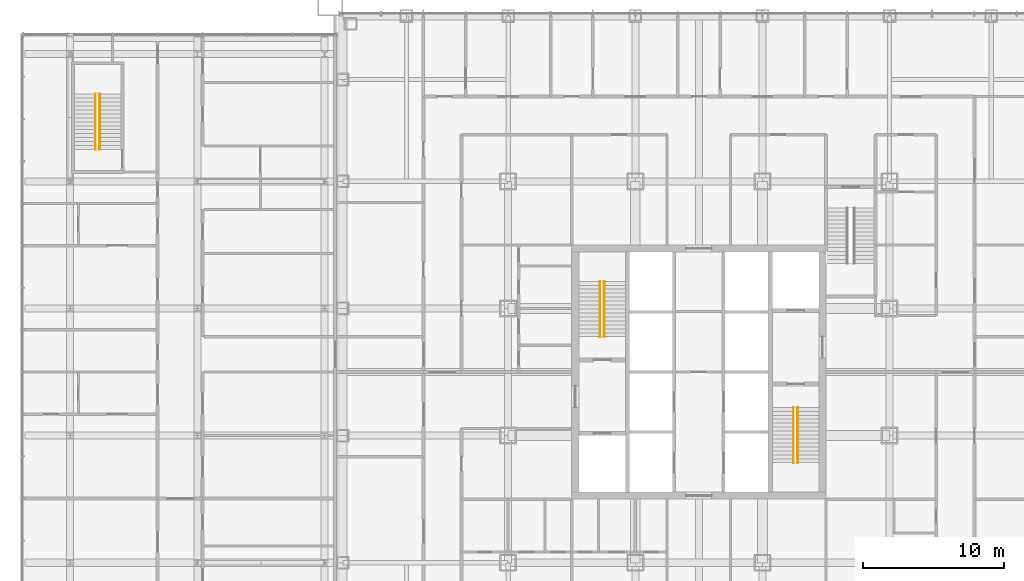
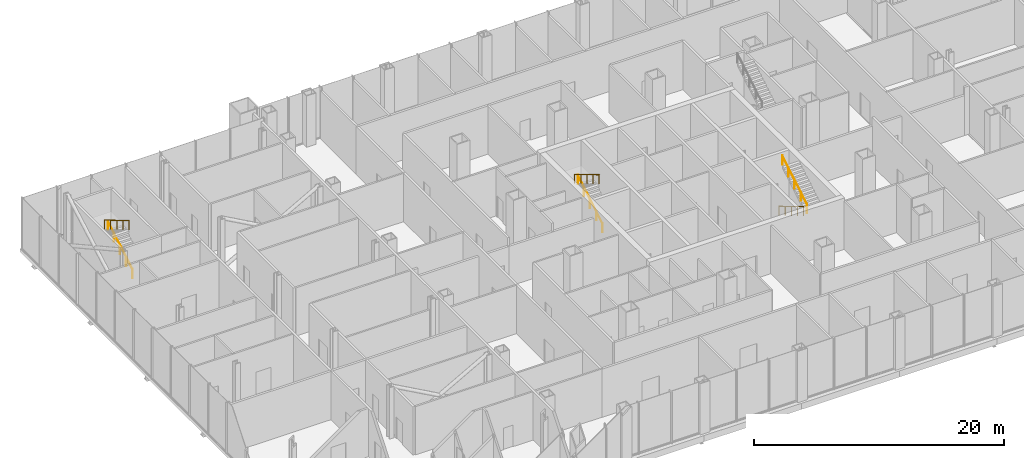
# One storey, part 21 of 25: 6 railings.
"""IFC4 building model written with IfcOpenShell, lengths in metres."""

from ifc_helpers import new_model, si_unit, direction, frame, origin, origin_2d, place, context, subcontext, project, spatial, circle, extrude, material, type_object, element, save


model = new_model("IFC4")

# Units and contexts
model_context = context("Model", 3, precision=1e-05, world=origin(), true_north=direction((0.0, 1.0)))
body_context = subcontext(model_context, "Body", "Model", "MODEL_VIEW")
ifc_project = project(units=[si_unit("LENGTHUNIT", "METRE"), si_unit("AREAUNIT", "SQUARE_METRE"), si_unit("VOLUMEUNIT", "CUBIC_METRE"), si_unit("PLANEANGLEUNIT", "RADIAN"), si_unit("MASSUNIT", "GRAM", prefix="KILO")], contexts=[model_context])

# Site, building, storey
site_placement = place(None, origin())
site = spatial("IfcSite", under=ifc_project, at=site_placement, CompositionType="ELEMENT")
building_placement = place(site_placement, origin())
building = spatial("IfcBuilding", under=site, at=building_placement, Name="Malebo Sky Hospital", CompositionType="ELEMENT")
storey_placement = place(building_placement, frame((0.0, 0.0, 6.0)))
storey = spatial("IfcBuildingStorey", under=building, at=storey_placement, Name="L01", CompositionType="ELEMENT", Elevation=6.0)

# Railings
ifc_material = material(Name="Stainless steel tube", Category="steel")
railing_type = type_object("IfcRailingType", Name="STAIR HANDRAIL 900", PredefinedType="HANDRAIL", material=ifc_material)
railing_1_placement = place(storey_placement, frame((53.300048828125, 64.5, 0.166748046875)))
element("IfcRailing", 1, at=railing_1_placement, inside=storey, type_object=railing_type, Name="Stair handrail S1 flight 1", PredefinedType="HANDRAIL", context=body_context, shape_type="SweptSolid", body=[
    extrude(circle(Radius=0.02392578125, at=origin_2d()), frame((0.0, 0.0, 0.8759765625), z_axis=(0.0, 0.859296244711, 0.511478214419), x_axis=(-1.0, 0.0, 0.0)), (0.0, 0.0, 1.0), 4.561767578125),
    extrude(circle(Radius=0.02099609375, at=origin_2d()), origin(), (0.0, 0.0, 1.0), 0.851806640625),
    extrude(circle(Radius=0.02099609375, at=origin_2d()), frame((0.0, 0.97998046875, 0.583251953125)), (0.0, 0.0, 1.0), 0.851806640625),
    extrude(circle(Radius=0.02099609375, at=origin_2d()), frame((0.0, 1.9599609375, 1.16650390625)), (0.0, 0.0, 1.0), 0.851806640625),
    extrude(circle(Radius=0.02099609375, at=origin_2d()), frame((0.0, 2.93994140625, 1.75)), (0.0, 0.0, 1.0), 0.851806640625),
    extrude(circle(Radius=0.02099609375, at=origin_2d()), frame((0.0, 3.919921875, 2.333251953125)), (0.0, 0.0, 1.0), 0.851806640625),
])
for number, where, name in (
    (2, (53.0, 68.419921875, 2.666748046875), "Stair handrail S1 flight 2"),
    (3, (66.699951171875, 59.5, 0.166748046875), "Stair handrail S2 flight 1"),
):
    element("IfcRailing", number, at=place(storey_placement, frame(where)), inside=storey, type_object=railing_type, Name=name, PredefinedType="HANDRAIL", context=body_context, shape_type="SweptSolid", body=[
        extrude(circle(Radius=0.02392578125, at=origin_2d()), frame((0.0, 0.0, 0.8759765625), z_axis=(0.0, -0.859296244711, 0.511478214419), x_axis=(1.0, 0.0, 0.0)), (0.0, 0.0, 1.0), 4.561767578125),
        extrude(circle(Radius=0.02099609375, at=origin_2d()), origin(), (0.0, 0.0, 1.0), 0.851806640625),
        extrude(circle(Radius=0.02099609375, at=origin_2d()), frame((0.0, -0.97998046875, 0.583251953125)), (0.0, 0.0, 1.0), 0.851806640625),
        extrude(circle(Radius=0.02099609375, at=origin_2d()), frame((0.0, -1.9599609375, 1.16650390625)), (0.0, 0.0, 1.0), 0.851806640625),
        extrude(circle(Radius=0.02099609375, at=origin_2d()), frame((0.0, -2.93994140625, 1.75)), (0.0, 0.0, 1.0), 0.851806640625),
        extrude(circle(Radius=0.02099609375, at=origin_2d()), frame((0.0, -3.919921875, 2.333251953125)), (0.0, 0.0, 1.0), 0.851806640625),
    ])
for number, where, name in (
    (4, (67.0, 55.580078125, 2.666748046875), "Stair handrail S2 flight 2"),
    (5, (17.60009765625, 77.75, 0.166748046875), "Stair handrail WS flight 1"),
):
    element("IfcRailing", number, at=place(storey_placement, frame(where)), inside=storey, type_object=railing_type, Name=name, PredefinedType="HANDRAIL", context=body_context, shape_type="SweptSolid", body=[
        extrude(circle(Radius=0.02392578125, at=origin_2d()), frame((0.0, 0.0, 0.8759765625), z_axis=(0.0, 0.859296244711, 0.511478214419), x_axis=(-1.0, 0.0, 0.0)), (0.0, 0.0, 1.0), 4.561767578125),
        extrude(circle(Radius=0.02099609375, at=origin_2d()), origin(), (0.0, 0.0, 1.0), 0.851806640625),
        extrude(circle(Radius=0.02099609375, at=origin_2d()), frame((0.0, 0.97998046875, 0.583251953125)), (0.0, 0.0, 1.0), 0.851806640625),
        extrude(circle(Radius=0.02099609375, at=origin_2d()), frame((0.0, 1.9599609375, 1.16650390625)), (0.0, 0.0, 1.0), 0.851806640625),
        extrude(circle(Radius=0.02099609375, at=origin_2d()), frame((0.0, 2.93994140625, 1.75)), (0.0, 0.0, 1.0), 0.851806640625),
        extrude(circle(Radius=0.02099609375, at=origin_2d()), frame((0.0, 3.919921875, 2.333251953125)), (0.0, 0.0, 1.0), 0.851806640625),
    ])
railing_2_placement = place(storey_placement, frame((17.300048828125, 81.669921875, 2.666748046875)))
element("IfcRailing", 6, at=railing_2_placement, inside=storey, type_object=railing_type, Name="Stair handrail WS flight 2", PredefinedType="HANDRAIL", context=body_context, shape_type="SweptSolid", body=[
    extrude(circle(Radius=0.02392578125, at=origin_2d()), frame((0.0, 0.0, 0.8759765625), z_axis=(0.0, -0.859296244711, 0.511478214419), x_axis=(1.0, 0.0, 0.0)), (0.0, 0.0, 1.0), 4.561767578125),
    extrude(circle(Radius=0.02099609375, at=origin_2d()), origin(), (0.0, 0.0, 1.0), 0.851806640625),
    extrude(circle(Radius=0.02099609375, at=origin_2d()), frame((0.0, -0.97998046875, 0.583251953125)), (0.0, 0.0, 1.0), 0.851806640625),
    extrude(circle(Radius=0.02099609375, at=origin_2d()), frame((0.0, -1.9599609375, 1.16650390625)), (0.0, 0.0, 1.0), 0.851806640625),
    extrude(circle(Radius=0.02099609375, at=origin_2d()), frame((0.0, -2.93994140625, 1.75)), (0.0, 0.0, 1.0), 0.851806640625),
    extrude(circle(Radius=0.02099609375, at=origin_2d()), frame((0.0, -3.919921875, 2.333251953125)), (0.0, 0.0, 1.0), 0.851806640625),
])

save(model, "model.ifc")
